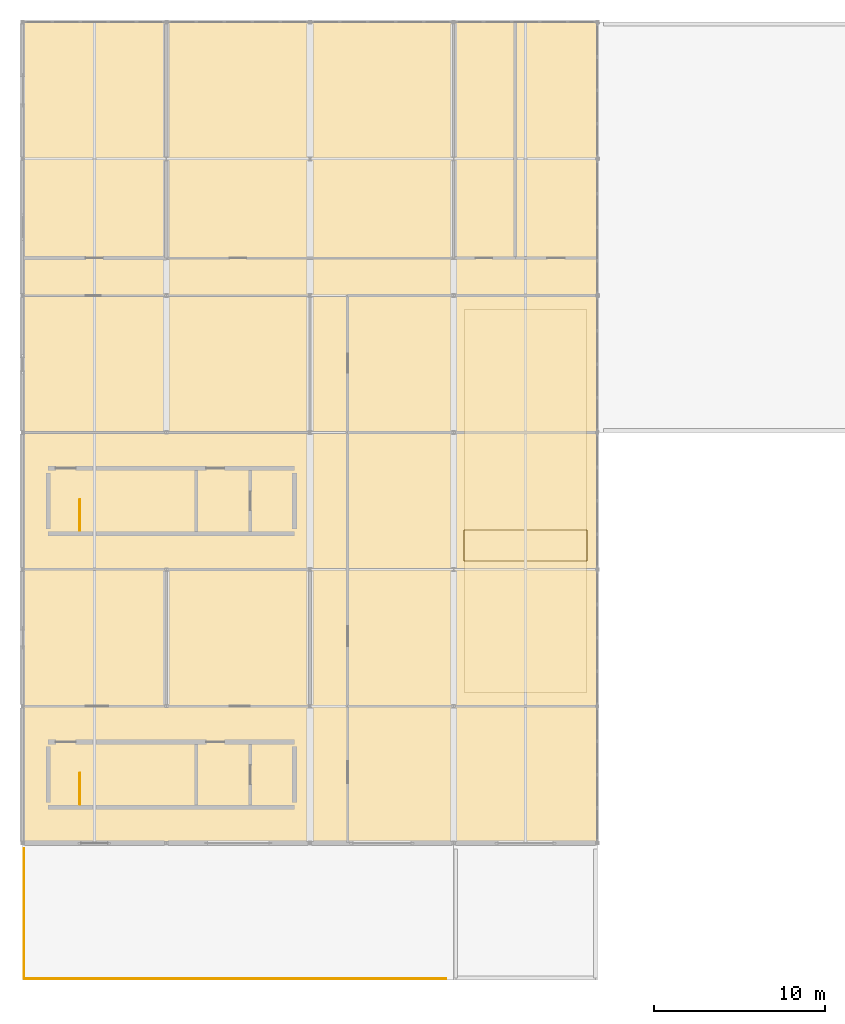
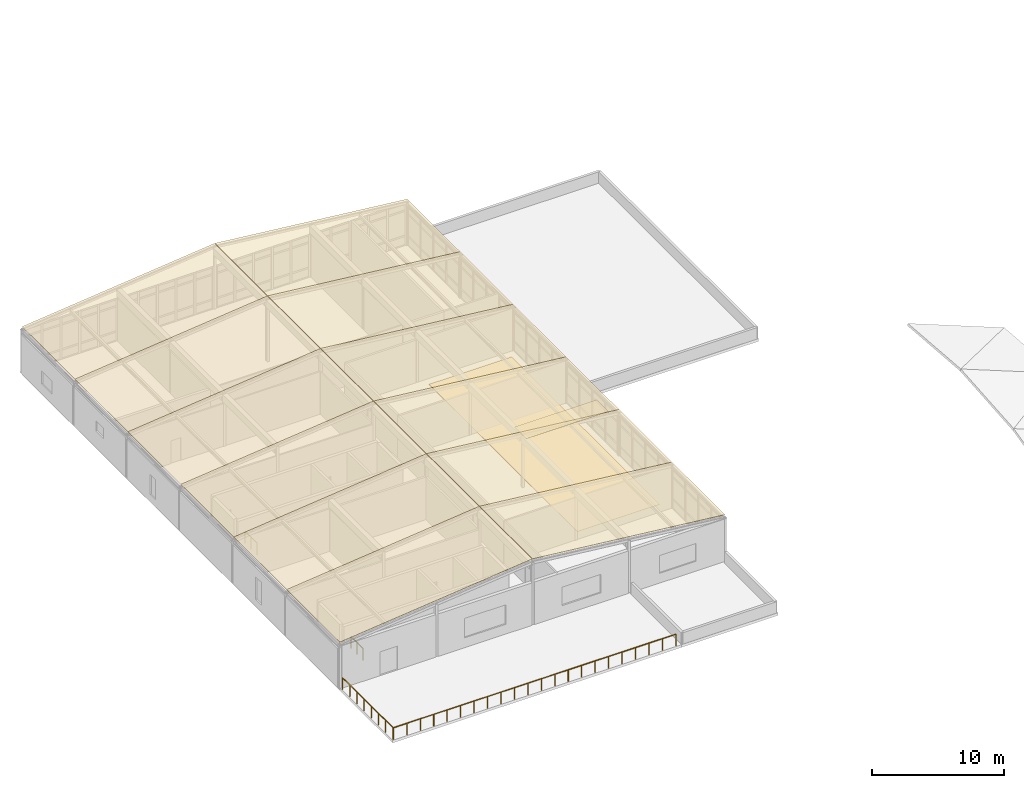
# One storey, part 25 of 25: 14 coverings, 4 railings.
"""IFC4 building model written with IfcOpenShell, lengths in metres."""

from ifc_helpers import new_model, si_unit, direction, frame, origin, origin_2d, place, context, subcontext, project, spatial, polyline, circle, outline, extrude, material, layer, layer_set, type_object, element, save


model = new_model("IFC4")

# Units and contexts
model_context = context("Model", 3, precision=1e-05, world=origin(), true_north=direction((0.0, 1.0)))
body_context = subcontext(model_context, "Body", "Model", "MODEL_VIEW")
ifc_project = project(units=[si_unit("LENGTHUNIT", "METRE"), si_unit("AREAUNIT", "SQUARE_METRE"), si_unit("VOLUMEUNIT", "CUBIC_METRE"), si_unit("PLANEANGLEUNIT", "RADIAN"), si_unit("MASSUNIT", "GRAM", prefix="KILO")], contexts=[model_context])

# Site, building, storey
site_placement = place(None, origin())
site = spatial("IfcSite", under=ifc_project, at=site_placement, CompositionType="ELEMENT")
building_placement = place(site_placement, origin())
building = spatial("IfcBuilding", under=site, at=building_placement, Name="Kranzveld Transit Interchange", CompositionType="ELEMENT")
storey_placement = place(building_placement, frame((0.0, 0.0, 21.0400390625)))
storey = spatial("IfcBuildingStorey", under=building, at=storey_placement, Name="L05", CompositionType="ELEMENT", Elevation=21.0400390625)

# Coverings
ifc_material_1 = material(Name="Bronze-anodised thermally broken aluminium", Category="aluminium")
ifc_layer_1 = layer(ifc_material_1, 0.02490234375)
ifc_layer_set_1 = layer_set([ifc_layer_1], Name="Bronze-anodised thermally broken aluminium")
covering_type_1 = type_object("IfcCoveringType", Name="Acoustic Perforated Ceiling Tile 25", PredefinedType="CEILING", material=ifc_layer_set_1)
covering_1_placement = place(storey_placement, frame((0.0, 0.0, 3.89501953125)))
element("IfcCovering", 1, at=covering_1_placement, inside=storey, type_object=covering_type_1, Name="Network Control Acoustic Ceiling", PredefinedType="CEILING", context=body_context, shape_type="SweptSolid", body=[
    extrude(outline(polyline([(25.800048828125, 80.5), (33.0, 80.5), (33.0, 82.300048828125), (25.800048828125, 82.300048828125), (25.800048828125, 80.5)])), origin(), (0.0, 0.0, 1.0), 0.02490234375),
])
ifc_material_2 = material(Name="Pretoria red-purple clinker clay face brick, 35 MPa", Category="masonry")
ifc_layer_2 = layer(ifc_material_2, 0.030029296875)
ifc_layer_set_2 = layer_set([ifc_layer_2], Name="Pretoria red-purple clinker clay face brick, 35 MPa")
covering_type_2 = type_object("IfcCoveringType", Name="Heavy-Duty Transit Quarry Tile Flooring 30", PredefinedType="FLOORING", material=ifc_layer_set_2)
covering_2_placement = place(storey_placement, origin())
element("IfcCovering", 2, at=covering_2_placement, inside=storey, type_object=covering_type_2, Name="Network Control Raised Flooring", PredefinedType="FLOORING", context=body_context, shape_type="SweptSolid", body=[
    extrude(outline(polyline([(25.800048828125, 72.800048828125), (33.0, 72.800048828125), (33.0, 95.199951171875), (25.800048828125, 95.199951171875), (25.800048828125, 72.800048828125)])), origin(), (0.0, 0.0, 1.0), 0.030029296875),
])

# Railings
ifc_material_3 = material(Name="Steel S355JR", Category="steel")
railing_type_1 = type_object("IfcRailingType", Name="Stair Well Guardrail Steel 1100", PredefinedType="GUARDRAIL", material=ifc_material_3)
for number, where, name in (
    (3, (3.35009765625, 66.27001953125, 0.0), "L05 ST-C1 top well guard 1"),
    (4, (3.35009765625, 82.27001953125, 0.0), "L05 ST-C2 top well guard 1"),
):
    element("IfcRailing", number, at=place(storey_placement, frame(where)), inside=storey, type_object=railing_type_1, Name=name, PredefinedType="GUARDRAIL", context=body_context, shape_type="SweptSolid", body=[
        extrude(circle(Radius=0.02392578125, at=origin_2d()), frame((0.0, 0.0, 1.076171875), z_axis=(0.0, 1.0, 0.0), x_axis=(-1.0, 0.0, 0.0)), (0.0, 0.0, 1.0), 1.81005859375),
        extrude(circle(Radius=0.02099609375, at=origin_2d()), origin(), (0.0, 0.0, 1.0), 1.050048828125),
        extrude(circle(Radius=0.02099609375, at=origin_2d()), frame((0.0, 0.905029296875, 0.0)), (0.0, 0.0, 1.0), 1.050048828125),
        extrude(circle(Radius=0.02099609375, at=origin_2d()), frame((0.0, 1.81005859375, 0.0)), (0.0, 0.0, 1.0), 1.050048828125),
    ])

# Coverings
ifc_material_4 = material(Name="Standing-seam titanium-zinc roof sheeting", Category="steel")
ifc_layer_3 = layer(ifc_material_4, 0.0400390625)
ifc_layer_set_3 = layer_set([ifc_layer_3], Name="Standing-seam titanium-zinc roof sheeting")
covering_type_3 = type_object("IfcCoveringType", Name="Standing-Seam Titanium-Zinc Roof Covering 40", PredefinedType="ROOFING", material=ifc_layer_set_3)
covering_3_placement = place(storey_placement, frame((0.0, 64.0, 4.199951171875), z_axis=(-0.106636790815, 0.0, 0.994298041256), x_axis=(0.994298041256, 0.0, 0.106636790815)))
element("IfcCovering", 5, at=covering_3_placement, inside=storey, type_object=covering_type_3, Name="Standing-Seam Zinc Roof Sheet 01", PredefinedType="ROOFING", context=body_context, shape_type="SweptSolid", body=[
    extrude(outline(polyline([(0.0, 0.0), (16.880185669159225, 0.0), (16.880185669159225, 8.000000000000002), (0.0, 8.000000000000002), (0.0, 0.0)])), origin(), (0.0, 0.0, -1.0), 0.0400390625),
])
covering_4_placement = place(storey_placement, frame((16.81591796875, 64.0, 6.0), z_axis=(0.106635257328, 0.0, 0.994298205718), x_axis=(0.994298205718, 0.0, -0.106635257328)))
element("IfcCovering", 6, at=covering_4_placement, inside=storey, type_object=covering_type_3, Name="Standing-Seam Zinc Roof Sheet 02", PredefinedType="ROOFING", context=body_context, shape_type="SweptSolid", body=[
    extrude(outline(polyline([(0.0, 0.0), (16.880428417724527, 0.0), (16.880428417724527, 8.0), (0.0, 8.0), (0.0, 0.0)])), origin(), (0.0, 0.0, -1.0), 0.0400390625),
])
covering_5_placement = place(storey_placement, frame((0.0, 72.0, 4.199951171875), z_axis=(-0.106636790815, 0.0, 0.994298041256), x_axis=(0.994298041256, 0.0, 0.106636790815)))
element("IfcCovering", 7, at=covering_5_placement, inside=storey, type_object=covering_type_3, Name="Standing-Seam Zinc Roof Sheet 03", PredefinedType="ROOFING", context=body_context, shape_type="SweptSolid", body=[
    extrude(outline(polyline([(0.0, 0.0), (16.880185669159225, 0.0), (16.880185669159225, 8.000000000000002), (0.0, 8.000000000000002), (0.0, 0.0)])), origin(), (0.0, 0.0, -1.0), 0.0400390625),
])
covering_6_placement = place(storey_placement, frame((16.81591796875, 72.0, 6.0), z_axis=(0.106635257328, 0.0, 0.994298205718), x_axis=(0.994298205718, 0.0, -0.106635257328)))
element("IfcCovering", 8, at=covering_6_placement, inside=storey, type_object=covering_type_3, Name="Standing-Seam Zinc Roof Sheet 04", PredefinedType="ROOFING", context=body_context, shape_type="SweptSolid", body=[
    extrude(outline(polyline([(0.0, 0.0), (16.880428417724527, 0.0), (16.880428417724527, 8.0), (0.0, 8.0), (0.0, 0.0)])), origin(), (0.0, 0.0, -1.0), 0.0400390625),
])
covering_7_placement = place(storey_placement, frame((0.0, 80.0, 4.199951171875), z_axis=(-0.106636790815, 0.0, 0.994298041256), x_axis=(0.994298041256, 0.0, 0.106636790815)))
element("IfcCovering", 9, at=covering_7_placement, inside=storey, type_object=covering_type_3, Name="Standing-Seam Zinc Roof Sheet 05", PredefinedType="ROOFING", context=body_context, shape_type="SweptSolid", body=[
    extrude(outline(polyline([(0.0, 0.0), (16.880185669159225, 0.0), (16.880185669159225, 8.000000000000002), (0.0, 8.000000000000002), (0.0, 0.0)])), origin(), (0.0, 0.0, -1.0), 0.0400390625),
])
covering_8_placement = place(storey_placement, frame((16.81591796875, 80.0, 6.0), z_axis=(0.106635257328, 0.0, 0.994298205718), x_axis=(0.994298205718, 0.0, -0.106635257328)))
element("IfcCovering", 10, at=covering_8_placement, inside=storey, type_object=covering_type_3, Name="Standing-Seam Zinc Roof Sheet 06", PredefinedType="ROOFING", context=body_context, shape_type="SweptSolid", body=[
    extrude(outline(polyline([(0.0, 0.0), (16.880428417724527, 0.0), (16.880428417724527, 8.0), (0.0, 8.0), (0.0, 0.0)])), origin(), (0.0, 0.0, -1.0), 0.0400390625),
])
covering_9_placement = place(storey_placement, frame((0.0, 88.0, 4.199951171875), z_axis=(-0.106636790815, 0.0, 0.994298041256), x_axis=(0.994298041256, 0.0, 0.106636790815)))
element("IfcCovering", 11, at=covering_9_placement, inside=storey, type_object=covering_type_3, Name="Standing-Seam Zinc Roof Sheet 07", PredefinedType="ROOFING", context=body_context, shape_type="SweptSolid", body=[
    extrude(outline(polyline([(0.0, 0.0), (16.880185669159225, 0.0), (16.880185669159225, 8.000000000000002), (0.0, 8.000000000000002), (0.0, 0.0)])), origin(), (0.0, 0.0, -1.0), 0.0400390625),
])
covering_10_placement = place(storey_placement, frame((16.81591796875, 88.0, 6.0), z_axis=(0.106635257328, 0.0, 0.994298205718), x_axis=(0.994298205718, 0.0, -0.106635257328)))
element("IfcCovering", 12, at=covering_10_placement, inside=storey, type_object=covering_type_3, Name="Standing-Seam Zinc Roof Sheet 08", PredefinedType="ROOFING", context=body_context, shape_type="SweptSolid", body=[
    extrude(outline(polyline([(0.0, 0.0), (16.880428417724527, 0.0), (16.880428417724527, 8.0), (0.0, 8.0), (0.0, 0.0)])), origin(), (0.0, 0.0, -1.0), 0.0400390625),
])
covering_11_placement = place(storey_placement, frame((0.0, 96.0, 4.199951171875), z_axis=(-0.106636790815, 0.0, 0.994298041256), x_axis=(0.994298041256, 0.0, 0.106636790815)))
element("IfcCovering", 13, at=covering_11_placement, inside=storey, type_object=covering_type_3, Name="Standing-Seam Zinc Roof Sheet 09", PredefinedType="ROOFING", context=body_context, shape_type="SweptSolid", body=[
    extrude(outline(polyline([(0.0, 0.0), (16.880185669159225, 0.0), (16.880185669159225, 8.000000000000002), (0.0, 8.000000000000002), (0.0, 0.0)])), origin(), (0.0, 0.0, -1.0), 0.0400390625),
])
covering_12_placement = place(storey_placement, frame((16.81591796875, 96.0, 6.0), z_axis=(0.106635257328, 0.0, 0.994298205718), x_axis=(0.994298205718, 0.0, -0.106635257328)))
element("IfcCovering", 14, at=covering_12_placement, inside=storey, type_object=covering_type_3, Name="Standing-Seam Zinc Roof Sheet 10", PredefinedType="ROOFING", context=body_context, shape_type="SweptSolid", body=[
    extrude(outline(polyline([(0.0, 0.0), (16.880428417724527, 0.0), (16.880428417724527, 8.0), (0.0, 8.0), (0.0, 0.0)])), origin(), (0.0, 0.0, -1.0), 0.0400390625),
])
covering_13_placement = place(storey_placement, frame((0.0, 104.0, 4.199951171875), z_axis=(-0.106636790815, 0.0, 0.994298041256), x_axis=(0.994298041256, 0.0, 0.106636790815)))
element("IfcCovering", 15, at=covering_13_placement, inside=storey, type_object=covering_type_3, Name="Standing-Seam Zinc Roof Sheet 11", PredefinedType="ROOFING", context=body_context, shape_type="SweptSolid", body=[
    extrude(outline(polyline([(0.0, 0.0), (16.880185669159225, 0.0), (16.880185669159225, 8.000000000000002), (0.0, 8.000000000000002), (0.0, 0.0)])), origin(), (0.0, 0.0, -1.0), 0.0400390625),
])
covering_14_placement = place(storey_placement, frame((16.81591796875, 104.0, 6.0), z_axis=(0.106635257328, 0.0, 0.994298205718), x_axis=(0.994298205718, 0.0, -0.106635257328)))
element("IfcCovering", 16, at=covering_14_placement, inside=storey, type_object=covering_type_3, Name="Standing-Seam Zinc Roof Sheet 12", PredefinedType="ROOFING", context=body_context, shape_type="SweptSolid", body=[
    extrude(outline(polyline([(0.0, 0.0), (16.880428417724527, 0.0), (16.880428417724527, 8.0), (0.0, 8.0), (0.0, 0.0)])), origin(), (0.0, 0.0, -1.0), 0.0400390625),
])

# Railings
ifc_material_5 = material(Name="Steel S355JR", Category="steel")
railing_type_2 = type_object("IfcRailingType", Name="Terrace Balustrade Bronze-Steel 1100", PredefinedType="BALUSTRADE", material=ifc_material_5)
railing_1_placement = place(storey_placement, frame((24.75, 56.080078125, 0.0)))
element("IfcRailing", 17, at=railing_1_placement, inside=storey, type_object=railing_type_2, Name="L05 Terrace Balustrade TERR_L05_OPS-11", PredefinedType="BALUSTRADE", context=body_context, shape_type="SweptSolid", body=[
    extrude(circle(Radius=0.02392578125, at=origin_2d()), frame((0.0, 0.0, 1.076171875), z_axis=(-1.0, 0.0, 0.0), x_axis=(0.0, -1.0, 0.0)), (0.0, 0.0, 1.0), 24.639892578125),
    extrude(circle(Radius=0.02099609375, at=origin_2d()), origin(), (0.0, 0.0, 1.0), 1.050048828125),
    extrude(circle(Radius=0.02099609375, at=origin_2d()), frame((-1.17333984375, 0.0, 0.0)), (0.0, 0.0, 1.0), 1.050048828125),
    extrude(circle(Radius=0.02099609375, at=origin_2d()), frame((-2.3466796875, 0.0, 0.0)), (0.0, 0.0, 1.0), 1.050048828125),
    extrude(circle(Radius=0.02099609375, at=origin_2d()), frame((-3.52001953125, 0.0, 0.0)), (0.0, 0.0, 1.0), 1.050048828125),
    extrude(circle(Radius=0.02099609375, at=origin_2d()), frame((-4.693359375, 0.0, 0.0)), (0.0, 0.0, 1.0), 1.050048828125),
    extrude(circle(Radius=0.02099609375, at=origin_2d()), frame((-5.86669921875, 0.0, 0.0)), (0.0, 0.0, 1.0), 1.050048828125),
    extrude(circle(Radius=0.02099609375, at=origin_2d()), frame((-7.0400390625, 0.0, 0.0)), (0.0, 0.0, 1.0), 1.050048828125),
    extrude(circle(Radius=0.02099609375, at=origin_2d()), frame((-8.21337890625, 0.0, 0.0)), (0.0, 0.0, 1.0), 1.050048828125),
    extrude(circle(Radius=0.02099609375, at=origin_2d()), frame((-9.38671875, 0.0, 0.0)), (0.0, 0.0, 1.0), 1.050048828125),
    extrude(circle(Radius=0.02099609375, at=origin_2d()), frame((-10.56005859375, 0.0, 0.0)), (0.0, 0.0, 1.0), 1.050048828125),
    extrude(circle(Radius=0.02099609375, at=origin_2d()), frame((-11.7333984375, 0.0, 0.0)), (0.0, 0.0, 1.0), 1.050048828125),
    extrude(circle(Radius=0.02099609375, at=origin_2d()), frame((-12.906494140625, 0.0, 0.0)), (0.0, 0.0, 1.0), 1.050048828125),
    extrude(circle(Radius=0.02099609375, at=origin_2d()), frame((-14.079833984375, 0.0, 0.0)), (0.0, 0.0, 1.0), 1.050048828125),
    extrude(circle(Radius=0.02099609375, at=origin_2d()), frame((-15.253173828125, 0.0, 0.0)), (0.0, 0.0, 1.0), 1.050048828125),
    extrude(circle(Radius=0.02099609375, at=origin_2d()), frame((-16.426513671875, 0.0, 0.0)), (0.0, 0.0, 1.0), 1.050048828125),
    extrude(circle(Radius=0.02099609375, at=origin_2d()), frame((-17.599853515625, 0.0, 0.0)), (0.0, 0.0, 1.0), 1.050048828125),
    extrude(circle(Radius=0.02099609375, at=origin_2d()), frame((-18.773193359375, 0.0, 0.0)), (0.0, 0.0, 1.0), 1.050048828125),
    extrude(circle(Radius=0.02099609375, at=origin_2d()), frame((-19.946533203125, 0.0, 0.0)), (0.0, 0.0, 1.0), 1.050048828125),
    extrude(circle(Radius=0.02099609375, at=origin_2d()), frame((-21.119873046875, 0.0, 0.0)), (0.0, 0.0, 1.0), 1.050048828125),
    extrude(circle(Radius=0.02099609375, at=origin_2d()), frame((-22.293212890625, 0.0, 0.0)), (0.0, 0.0, 1.0), 1.050048828125),
    extrude(circle(Radius=0.02099609375, at=origin_2d()), frame((-23.466552734375, 0.0, 0.0)), (0.0, 0.0, 1.0), 1.050048828125),
    extrude(circle(Radius=0.02099609375, at=origin_2d()), frame((-24.639892578125, 0.0, 0.0)), (0.0, 0.0, 1.0), 1.050048828125),
])
railing_2_placement = place(storey_placement, frame((0.080078125, 56.110107421875, 0.0)))
element("IfcRailing", 18, at=railing_2_placement, inside=storey, type_object=railing_type_2, Name="L05 Terrace Balustrade TERR_L05_OPS-12", PredefinedType="BALUSTRADE", context=body_context, shape_type="SweptSolid", body=[
    extrude(circle(Radius=0.02392578125, at=origin_2d()), frame((0.0, 0.0, 1.076171875), z_axis=(0.0, 1.0, 0.0), x_axis=(-1.0, 0.0, 0.0)), (0.0, 0.0, 1.0), 7.579833984375),
    extrude(circle(Radius=0.02099609375, at=origin_2d()), origin(), (0.0, 0.0, 1.0), 1.050048828125),
    extrude(circle(Radius=0.02099609375, at=origin_2d()), frame((0.0, 1.082763671875, 0.0)), (0.0, 0.0, 1.0), 1.050048828125),
    extrude(circle(Radius=0.02099609375, at=origin_2d()), frame((0.0, 2.165771484375, 0.0)), (0.0, 0.0, 1.0), 1.050048828125),
    extrude(circle(Radius=0.02099609375, at=origin_2d()), frame((0.0, 3.24853515625, 0.0)), (0.0, 0.0, 1.0), 1.050048828125),
    extrude(circle(Radius=0.02099609375, at=origin_2d()), frame((0.0, 4.331298828125, 0.0)), (0.0, 0.0, 1.0), 1.050048828125),
    extrude(circle(Radius=0.02099609375, at=origin_2d()), frame((0.0, 5.4140625, 0.0)), (0.0, 0.0, 1.0), 1.050048828125),
    extrude(circle(Radius=0.02099609375, at=origin_2d()), frame((0.0, 6.4970703125, 0.0)), (0.0, 0.0, 1.0), 1.050048828125),
    extrude(circle(Radius=0.02099609375, at=origin_2d()), frame((0.0, 7.579833984375, 0.0)), (0.0, 0.0, 1.0), 1.050048828125),
])

save(model, "model.ifc")
